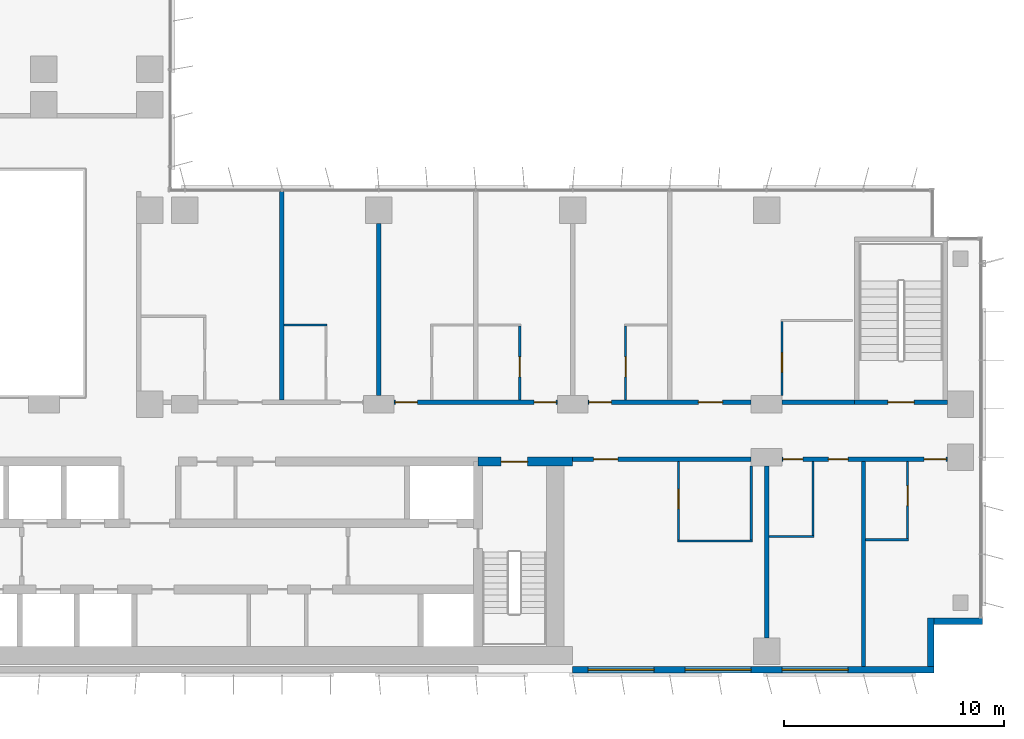
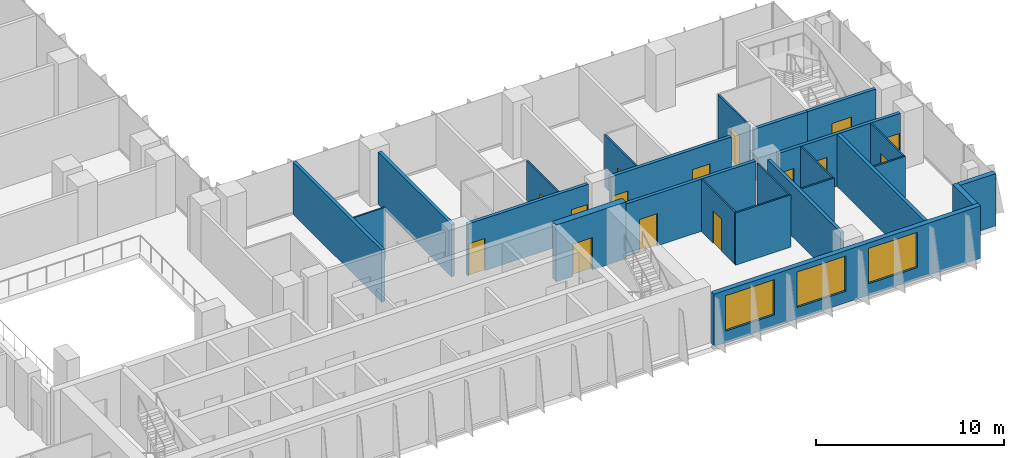
# One storey, part 14 of 23: 25 walls, 15 doors, 3 windows, 18 openings.
"""IFC4 building model written with IfcOpenShell, lengths in metres."""

from ifc_helpers import new_model, si_unit, direction, frame, frame_2d, origin, place, context, subcontext, project, spatial, rectangle, extrude, material, layer, layer_set, type_object, element, fill, save


model = new_model("IFC4")

# Units and contexts
model_context = context("Model", 3, precision=1e-05, world=origin(), true_north=direction((0.0, 1.0)))
body_context = subcontext(model_context, "Body", "Model", "MODEL_VIEW")
ifc_project = project(units=[si_unit("LENGTHUNIT", "METRE"), si_unit("AREAUNIT", "SQUARE_METRE"), si_unit("VOLUMEUNIT", "CUBIC_METRE"), si_unit("PLANEANGLEUNIT", "RADIAN"), si_unit("MASSUNIT", "GRAM", prefix="KILO")], contexts=[model_context])

# Site, building, storey
site_placement = place(None, origin())
site = spatial("IfcSite", under=ifc_project, at=site_placement, CompositionType="ELEMENT")
building_placement = place(site_placement, origin())
building = spatial("IfcBuilding", under=site, at=building_placement, Name="Kemantara Hotel Tower", CompositionType="ELEMENT")
storey_placement = place(building_placement, frame((0.0, 0.0, 138.300048828125)))
storey = spatial("IfcBuildingStorey", under=building, at=storey_placement, Name="L33", CompositionType="ELEMENT", Elevation=138.300048828125)

# Wall, openings, windows
ifc_material_1 = material(Name="Bronze anodised aluminium cladding on insulated steel stud wall", Category="steel")
ifc_layer_1 = layer(ifc_material_1, 0.300048828125)
ifc_layer_set_1 = layer_set([ifc_layer_1], Name="Bronze anodised aluminium cladding on insulated steel stud wall")
wall_type_1 = type_object("IfcWallType", Name="BRONZE METAL-CLAD EXTERNAL WALL 300", PredefinedType="STANDARD", material=ifc_layer_set_1)
wall_1_placement = place(storey_placement, frame((45.0, 0.14990234375, 0.0), z_axis=(0.0, 0.0, 1.0), x_axis=(1.0, 0.0, 0.0)))
wall_1 = element("IfcWall", 1, at=wall_1_placement, inside=storey, type_object=wall_type_1, Name="EXTERNAL WALL L33 T2-R07-3", PredefinedType="STANDARD", context=body_context, shape_type="SweptSolid", body=[
    extrude(rectangle(XDim=16.39990234375, YDim=0.300048828125, at=frame_2d((8.199951171875, 0.0))), origin(), (0.0, 0.0, 1.0), 3.39990234375),
])
opening_1_placement = place(wall_1_placement, frame((0.699951171875, 0.0, 0.75)))
opening_1 = element("IfcOpeningElement", 2, at=opening_1_placement, cuts=wall_1, Name="Opening W1", PredefinedType="OPENING", context=body_context, shape_type="SweptSolid", body=[
    extrude(rectangle(XDim=3.0, YDim=2.300048828125, at=frame_2d((1.5, 1.14990234375))), frame((0.0, 0.159912109375, 0.0), z_axis=(0.0, -1.0, 0.0), x_axis=(1.0, 0.0, 0.0)), (0.0, 0.0, 1.0), 0.320068359375),
])
opening_2_placement = place(wall_1_placement, frame((5.10009765625, 0.0, 0.75)))
opening_2 = element("IfcOpeningElement", 3, at=opening_2_placement, cuts=wall_1, Name="Opening W1", PredefinedType="OPENING", context=body_context, shape_type="SweptSolid", body=[
    extrude(rectangle(XDim=3.0, YDim=2.300048828125, at=frame_2d((1.5, 1.14990234375))), frame((0.0, 0.159912109375, 0.0), z_axis=(0.0, -1.0, 0.0), x_axis=(1.0, 0.0, 0.0)), (0.0, 0.0, 1.0), 0.320068359375),
])
opening_3_placement = place(wall_1_placement, frame((9.5, 0.0, 0.75)))
opening_3 = element("IfcOpeningElement", 4, at=opening_3_placement, cuts=wall_1, Name="Opening W1", PredefinedType="OPENING", context=body_context, shape_type="SweptSolid", body=[
    extrude(rectangle(XDim=3.0, YDim=2.300048828125, at=frame_2d((1.5, 1.14990234375))), frame((0.0, 0.159912109375, 0.0), z_axis=(0.0, -1.0, 0.0), x_axis=(1.0, 0.0, 0.0)), (0.0, 0.0, 1.0), 0.320068359375),
])
ifc_material_2 = material(Name="Low-E tinted double insulated glass in bronze anodised aluminium frame", Category="aluminium")
window_type = type_object("IfcWindowType", Name="CHICAGO WINDOW, TRIPLE PANEL 3000x2300", PartitioningType="TRIPLE_PANEL_VERTICAL", PredefinedType="WINDOW", material=ifc_material_2)
window_1_placement = place(opening_1_placement, origin())
window_1 = element("IfcWindow", 5, at=window_1_placement, inside=storey, type_object=window_type, Name="CHICAGO WINDOW L33 T2-R07-450", OverallHeight=2.300048828125, OverallWidth=3.0, PartitioningType="SINGLE_PANEL", PredefinedType="WINDOW", context=body_context, shape_type="SweptSolid", body=[
    extrude(rectangle(XDim=3.0, YDim=2.300048828125, at=frame_2d((1.5, 1.14990234375))), frame((0.0, 0.030029296875, 0.0), z_axis=(0.0, -1.0, 0.0), x_axis=(1.0, 0.0, 0.0)), (0.0, 0.0, 1.0), 0.06005859375),
])
fill(opening_1, window_1)
window_2_placement = place(opening_2_placement, origin())
window_2 = element("IfcWindow", 6, at=window_2_placement, inside=storey, type_object=window_type, Name="CHICAGO WINDOW L33 T2-R07-494", OverallHeight=2.300048828125, OverallWidth=3.0, PartitioningType="SINGLE_PANEL", PredefinedType="WINDOW", context=body_context, shape_type="SweptSolid", body=[
    extrude(rectangle(XDim=3.0, YDim=2.300048828125, at=frame_2d((1.5, 1.14990234375))), frame((0.0, 0.030029296875, 0.0), z_axis=(0.0, -1.0, 0.0), x_axis=(1.0, 0.0, 0.0)), (0.0, 0.0, 1.0), 0.06005859375),
])
fill(opening_2, window_2)
window_3_placement = place(opening_3_placement, origin())
window_3 = element("IfcWindow", 7, at=window_3_placement, inside=storey, type_object=window_type, Name="CHICAGO WINDOW L33 T2-R07-538", OverallHeight=2.300048828125, OverallWidth=3.0, PartitioningType="SINGLE_PANEL", PredefinedType="WINDOW", context=body_context, shape_type="SweptSolid", body=[
    extrude(rectangle(XDim=3.0, YDim=2.300048828125, at=frame_2d((1.5, 1.14990234375))), frame((0.0, 0.030029296875, 0.0), z_axis=(0.0, -1.0, 0.0), x_axis=(1.0, 0.0, 0.0)), (0.0, 0.0, 1.0), 0.06005859375),
])
fill(opening_3, window_3)

# Walls
wall_2_placement = place(storey_placement, frame((61.25, 0.300048828125, 0.0), z_axis=(0.0, 0.0, 1.0), x_axis=(0.0, 1.0, 0.0)))
element("IfcWall", 8, at=wall_2_placement, inside=storey, type_object=wall_type_1, Name="EXTERNAL WALL L33 T2-R08", PredefinedType="STANDARD", context=body_context, shape_type="SweptSolid", body=[
    extrude(rectangle(XDim=2.199951171875, YDim=0.300048828125, at=frame_2d((1.10009765625, 0.0))), origin(), (0.0, 0.0, 1.0), 3.39990234375),
])
wall_3_placement = place(storey_placement, frame((61.39990234375, 2.35009765625, 0.0), z_axis=(0.0, 0.0, 1.0), x_axis=(1.0, 0.0, 0.0)))
element("IfcWall", 9, at=wall_3_placement, inside=storey, type_object=wall_type_1, Name="EXTERNAL WALL L33 T2-R09", PredefinedType="STANDARD", context=body_context, shape_type="SweptSolid", body=[
    extrude(rectangle(XDim=2.2001953125, YDim=0.300048828125, at=frame_2d((1.10009765625, 0.0))), origin(), (0.0, 0.0, 1.0), 3.39990234375),
])

# Wall, opening, door
ifc_material_3 = material(Name="Concrete fc 60 MPa", Category="concrete")
ifc_layer_2 = layer(ifc_material_3, 0.39990234375)
ifc_layer_set_2 = layer_set([ifc_layer_2], Name="Concrete fc 60 MPa")
wall_type_2 = type_object("IfcWallType", Name="CORE WALL 400 FC60", PredefinedType="SHEAR", material=ifc_layer_set_2)
wall_4_placement = place(storey_placement, frame((40.699951171875, 9.60009765625, 0.0), z_axis=(0.0, 0.0, 1.0), x_axis=(1.0, 0.0, 0.0)))
wall_4 = element("IfcWall", 10, at=wall_4_placement, inside=storey, type_object=wall_type_2, Name="CORE WALL CW-N2", PredefinedType="SHEAR", context=body_context, shape_type="SweptSolid", body=[
    extrude(rectangle(XDim=4.300048828125, YDim=0.39990234375, at=frame_2d((2.14990234375, 0.0))), origin(), (0.0, 0.0, 1.0), 3.699951171875),
])
opening_4_placement = place(wall_4_placement, frame((1.050048828125, 0.0, 0.0)))
opening_4 = element("IfcOpeningElement", 11, at=opening_4_placement, cuts=wall_4, Name="Opening C22-ST2-C", PredefinedType="OPENING", context=body_context, shape_type="SweptSolid", body=[
    extrude(rectangle(XDim=1.199951171875, YDim=2.10009765625, at=frame_2d((0.60009765625, 1.050048828125))), frame((0.0, 0.2099609375, 0.0), z_axis=(0.0, -1.0, 0.0), x_axis=(1.0, 0.0, 0.0)), (0.0, 0.0, 1.0), 0.419921875),
])
ifc_material_4 = material(Name="Steel fire door", Category="steel")
door_type_1 = type_object("IfcDoorType", Name="Fire door FD90 1200 x 2100", OperationType="NOTDEFINED", PredefinedType="DOOR", material=ifc_material_4)
door_1_placement = place(opening_4_placement, frame((1.199951171875, 0.0, 0.0), z_axis=(0.0, 0.0, 1.0), x_axis=(-1.0, 0.0, 0.0)))
door_1 = element("IfcDoor", 12, at=door_1_placement, inside=storey, type_object=door_type_1, Name="Stair ST2 door to corridor", OperationType="SINGLE_SWING_RIGHT", OverallHeight=2.10009765625, OverallWidth=1.199951171875, PredefinedType="DOOR", context=body_context, shape_type="SweptSolid", body=[
    extrude(rectangle(XDim=1.199951171875, YDim=2.10009765625, at=frame_2d((0.60009765625, 1.050048828125))), frame((0.0, 0.02490234375, 0.0), z_axis=(0.0, -1.0, 0.0), x_axis=(1.0, 0.0, 0.0)), (0.0, 0.0, 1.0), 0.050048828125),
])
fill(opening_4, door_1)

ifc_material_5 = material(Name="Gypsum board partition, steel studs and mineral wool, 200 mm", Category="steel")
ifc_layer_3 = layer(ifc_material_5, 0.199951171875)
ifc_layer_set_3 = layer_set([ifc_layer_3], Name="Gypsum board partition, steel studs and mineral wool, 200 mm")
wall_type_3 = type_object("IfcWallType", Name="CORRIDOR WALL 200", PredefinedType="PARTITIONING", material=ifc_layer_set_3)
wall_5_placement = place(storey_placement, frame((53.099853515625, 9.699951171875, 0.0), z_axis=(0.0, 0.0, 1.0), x_axis=(-1.0, 0.0, 0.0)))
wall_5 = element("IfcWall", 13, at=wall_5_placement, inside=storey, type_object=wall_type_3, Name="CORRIDOR WALL 200 001", PredefinedType="PARTITIONING", context=body_context, shape_type="SweptSolid", body=[
    extrude(rectangle(XDim=8.099853515625, YDim=0.199951171875, at=frame_2d((4.0498046875, 0.0))), origin(), (0.0, 0.0, 1.0), 3.39990234375),
])
opening_5_placement = place(wall_5_placement, frame((6.0498046875, 0.0, 0.0)))
opening_5 = element("IfcOpeningElement", 14, at=opening_5_placement, cuts=wall_5, Name="Opening F15-001", PredefinedType="OPENING", context=body_context, shape_type="SweptSolid", body=[
    extrude(rectangle(XDim=1.10009765625, YDim=2.10009765625, at=frame_2d((0.550048828125, 1.050048828125))), frame((0.0, 0.10986328125, 0.0), z_axis=(0.0, -1.0, 0.0), x_axis=(1.0, 0.0, 0.0)), (0.0, 0.0, 1.0), 0.219970703125),
])
ifc_material_6 = material(Name="Hardwood veneer door leaf with steel frame", Category="steel")
door_type_2 = type_object("IfcDoorType", Name="SUITE ENTRANCE DOOR 1100 X 2100 FD30S", OperationType="NOTDEFINED", PredefinedType="DOOR", material=ifc_material_6)
door_2_placement = place(opening_5_placement, origin())
door_2 = element("IfcDoor", 15, at=door_2_placement, inside=storey, type_object=door_type_2, Name="SUITE ENTRANCE DOOR F15-001", OperationType="SINGLE_SWING_RIGHT", OverallHeight=2.10009765625, OverallWidth=1.10009765625, PredefinedType="DOOR", context=body_context, shape_type="SweptSolid", body=[
    extrude(rectangle(XDim=1.10009765625, YDim=2.10009765625, at=frame_2d((0.550048828125, 1.050048828125))), frame((0.0, 0.02490234375, 0.0), z_axis=(0.0, -1.0, 0.0), x_axis=(1.0, 0.0, 0.0)), (0.0, 0.0, 1.0), 0.050048828125),
])
fill(opening_5, door_2)

# Wall, openings, doors
wall_6_placement = place(storey_placement, frame((62.0, 9.699951171875, 0.0), z_axis=(0.0, 0.0, 1.0), x_axis=(-1.0, 0.0, 0.0)))
wall_6 = element("IfcWall", 16, at=wall_6_placement, inside=storey, type_object=wall_type_3, Name="CORRIDOR WALL 200 002", PredefinedType="PARTITIONING", context=body_context, shape_type="SweptSolid", body=[
    extrude(rectangle(XDim=7.5, YDim=0.199951171875, at=frame_2d((3.75, 0.0))), origin(), (0.0, 0.0, 1.0), 3.39990234375),
])
opening_6_placement = place(wall_6_placement, frame((4.5, 0.0, 0.0)))
opening_6 = element("IfcOpeningElement", 17, at=opening_6_placement, cuts=wall_6, Name="Opening F15-003", PredefinedType="OPENING", context=body_context, shape_type="SweptSolid", body=[
    extrude(rectangle(XDim=0.89990234375, YDim=2.10009765625, at=frame_2d((0.449951171875, 1.050048828125))), frame((0.0, 0.10986328125, 0.0), z_axis=(0.0, -1.0, 0.0), x_axis=(1.0, 0.0, 0.0)), (0.0, 0.0, 1.0), 0.219970703125),
])
opening_7_placement = place(wall_6_placement, frame((6.5498046875, 0.0, 0.0)))
opening_7 = element("IfcOpeningElement", 18, at=opening_7_placement, cuts=wall_6, Name="Opening F15-004", PredefinedType="OPENING", context=body_context, shape_type="SweptSolid", body=[
    extrude(rectangle(XDim=0.89990234375, YDim=2.10009765625, at=frame_2d((0.449951171875, 1.050048828125))), frame((0.0, 0.10986328125, 0.0), z_axis=(0.0, -1.0, 0.0), x_axis=(1.0, 0.0, 0.0)), (0.0, 0.0, 1.0), 0.219970703125),
])
opening_8_placement = place(wall_6_placement, frame((0.0498046875, 0.0, 0.0)))
opening_8 = element("IfcOpeningElement", 19, at=opening_8_placement, cuts=wall_6, Name="Opening F15-005", PredefinedType="OPENING", context=body_context, shape_type="SweptSolid", body=[
    extrude(rectangle(XDim=1.0, YDim=2.10009765625, at=frame_2d((0.5, 1.050048828125))), frame((0.0, 0.10986328125, 0.0), z_axis=(0.0, -1.0, 0.0), x_axis=(1.0, 0.0, 0.0)), (0.0, 0.0, 1.0), 0.219970703125),
])
door_type_3 = type_object("IfcDoorType", Name="GUEST ROOM DOOR 1000 X 2100 FD30S", OperationType="NOTDEFINED", PredefinedType="DOOR", material=ifc_material_6)
door_3_placement = place(opening_8_placement, origin())
door_3 = element("IfcDoor", 20, at=door_3_placement, inside=storey, type_object=door_type_3, Name="GUEST ROOM DOOR F15-005", OperationType="SINGLE_SWING_LEFT", OverallHeight=2.10009765625, OverallWidth=1.0, PredefinedType="DOOR", context=body_context, shape_type="SweptSolid", body=[
    extrude(rectangle(XDim=1.0, YDim=2.10009765625, at=frame_2d((0.5, 1.050048828125))), frame((0.0, 0.02490234375, 0.0), z_axis=(0.0, -1.0, 0.0), x_axis=(1.0, 0.0, 0.0)), (0.0, 0.0, 1.0), 0.050048828125),
])
fill(opening_8, door_3)
ifc_material_7 = material(Name="Steel door leaf with steel frame", Category="steel")
door_type_4 = type_object("IfcDoorType", Name="SERVICE ROOM DOOR 900 X 2100 FD60", OperationType="NOTDEFINED", PredefinedType="DOOR", material=ifc_material_7)
door_4_placement = place(opening_6_placement, origin())
door_4 = element("IfcDoor", 21, at=door_4_placement, inside=storey, type_object=door_type_4, Name="SERVICE ROOM DOOR F15-003", OperationType="SINGLE_SWING_LEFT", OverallHeight=2.10009765625, OverallWidth=0.89990234375, PredefinedType="DOOR", context=body_context, shape_type="SweptSolid", body=[
    extrude(rectangle(XDim=0.89990234375, YDim=2.10009765625, at=frame_2d((0.449951171875, 1.050048828125))), frame((0.0, 0.02490234375, 0.0), z_axis=(0.0, -1.0, 0.0), x_axis=(1.0, 0.0, 0.0)), (0.0, 0.0, 1.0), 0.050048828125),
])
fill(opening_6, door_4)
door_5_placement = place(opening_7_placement, origin())
door_5 = element("IfcDoor", 22, at=door_5_placement, inside=storey, type_object=door_type_4, Name="SERVICE ROOM DOOR F15-004", OperationType="SINGLE_SWING_RIGHT", OverallHeight=2.10009765625, OverallWidth=0.89990234375, PredefinedType="DOOR", context=body_context, shape_type="SweptSolid", body=[
    extrude(rectangle(XDim=0.89990234375, YDim=2.10009765625, at=frame_2d((0.449951171875, 1.050048828125))), frame((0.0, 0.02490234375, 0.0), z_axis=(0.0, -1.0, 0.0), x_axis=(1.0, 0.0, 0.0)), (0.0, 0.0, 1.0), 0.050048828125),
])
fill(opening_7, door_5)

wall_7_placement = place(storey_placement, frame((36.900146484375, 12.300048828125, 0.0), z_axis=(0.0, 0.0, 1.0), x_axis=(1.0, 0.0, 0.0)))
wall_7 = element("IfcWall", 23, at=wall_7_placement, inside=storey, type_object=wall_type_3, Name="CORRIDOR WALL 200 007", PredefinedType="PARTITIONING", context=body_context, shape_type="SweptSolid", body=[
    extrude(rectangle(XDim=7.399658203125, YDim=0.199951171875, at=frame_2d((3.69970703125, 0.0))), origin(), (0.0, 0.0, 1.0), 3.39990234375),
])
opening_9_placement = place(wall_7_placement, frame((0.0498046875, 0.0, 0.0)))
opening_9 = element("IfcOpeningElement", 24, at=opening_9_placement, cuts=wall_7, Name="Opening F15-011", PredefinedType="OPENING", context=body_context, shape_type="SweptSolid", body=[
    extrude(rectangle(XDim=1.0, YDim=2.10009765625, at=frame_2d((0.5, 1.050048828125))), frame((0.0, 0.10986328125, 0.0), z_axis=(0.0, -1.0, 0.0), x_axis=(1.0, 0.0, 0.0)), (0.0, 0.0, 1.0), 0.219970703125),
])
opening_10_placement = place(wall_7_placement, frame((6.349853515625, 0.0, 0.0)))
opening_10 = element("IfcOpeningElement", 25, at=opening_10_placement, cuts=wall_7, Name="Opening F15-013", PredefinedType="OPENING", context=body_context, shape_type="SweptSolid", body=[
    extrude(rectangle(XDim=1.0, YDim=2.10009765625, at=frame_2d((0.5, 1.050048828125))), frame((0.0, 0.10986328125, 0.0), z_axis=(0.0, -1.0, 0.0), x_axis=(1.0, 0.0, 0.0)), (0.0, 0.0, 1.0), 0.219970703125),
])
door_6_placement = place(opening_9_placement, origin())
door_6 = element("IfcDoor", 26, at=door_6_placement, inside=storey, type_object=door_type_3, Name="GUEST ROOM DOOR F15-011", OperationType="SINGLE_SWING_LEFT", OverallHeight=2.10009765625, OverallWidth=1.0, PredefinedType="DOOR", context=body_context, shape_type="SweptSolid", body=[
    extrude(rectangle(XDim=1.0, YDim=2.10009765625, at=frame_2d((0.5, 1.050048828125))), frame((0.0, 0.02490234375, 0.0), z_axis=(0.0, -1.0, 0.0), x_axis=(1.0, 0.0, 0.0)), (0.0, 0.0, 1.0), 0.050048828125),
])
fill(opening_9, door_6)
door_7_placement = place(opening_10_placement, origin())
door_7 = element("IfcDoor", 27, at=door_7_placement, inside=storey, type_object=door_type_3, Name="GUEST ROOM DOOR F15-013", OperationType="SINGLE_SWING_RIGHT", OverallHeight=2.10009765625, OverallWidth=1.0, PredefinedType="DOOR", context=body_context, shape_type="SweptSolid", body=[
    extrude(rectangle(XDim=1.0, YDim=2.10009765625, at=frame_2d((0.5, 1.050048828125))), frame((0.0, 0.02490234375, 0.0), z_axis=(0.0, -1.0, 0.0), x_axis=(1.0, 0.0, 0.0)), (0.0, 0.0, 1.0), 0.050048828125),
])
fill(opening_10, door_7)

wall_8_placement = place(storey_placement, frame((45.7001953125, 12.300048828125, 0.0), z_axis=(0.0, 0.0, 1.0), x_axis=(1.0, 0.0, 0.0)))
wall_8 = element("IfcWall", 28, at=wall_8_placement, inside=storey, type_object=wall_type_3, Name="CORRIDOR WALL 200 008", PredefinedType="PARTITIONING", context=body_context, shape_type="SweptSolid", body=[
    extrude(rectangle(XDim=7.399658203125, YDim=0.199951171875, at=frame_2d((3.69970703125, 0.0))), origin(), (0.0, 0.0, 1.0), 3.39990234375),
])
opening_11_placement = place(wall_8_placement, frame((0.0498046875, 0.0, 0.0)))
opening_11 = element("IfcOpeningElement", 29, at=opening_11_placement, cuts=wall_8, Name="Opening F15-015", PredefinedType="OPENING", context=body_context, shape_type="SweptSolid", body=[
    extrude(rectangle(XDim=1.0, YDim=2.10009765625, at=frame_2d((0.5, 1.050048828125))), frame((0.0, 0.10986328125, 0.0), z_axis=(0.0, -1.0, 0.0), x_axis=(1.0, 0.0, 0.0)), (0.0, 0.0, 1.0), 0.219970703125),
])
opening_12_placement = place(wall_8_placement, frame((5.0, 0.0, 0.0)))
opening_12 = element("IfcOpeningElement", 30, at=opening_12_placement, cuts=wall_8, Name="Opening F15-017", PredefinedType="OPENING", context=body_context, shape_type="SweptSolid", body=[
    extrude(rectangle(XDim=1.10009765625, YDim=2.10009765625, at=frame_2d((0.550048828125, 1.050048828125))), frame((0.0, 0.10986328125, 0.0), z_axis=(0.0, -1.0, 0.0), x_axis=(1.0, 0.0, 0.0)), (0.0, 0.0, 1.0), 0.219970703125),
])
door_8_placement = place(opening_11_placement, origin())
door_8 = element("IfcDoor", 31, at=door_8_placement, inside=storey, type_object=door_type_3, Name="GUEST ROOM DOOR F15-015", OperationType="SINGLE_SWING_LEFT", OverallHeight=2.10009765625, OverallWidth=1.0, PredefinedType="DOOR", context=body_context, shape_type="SweptSolid", body=[
    extrude(rectangle(XDim=1.0, YDim=2.10009765625, at=frame_2d((0.5, 1.050048828125))), frame((0.0, 0.02490234375, 0.0), z_axis=(0.0, -1.0, 0.0), x_axis=(1.0, 0.0, 0.0)), (0.0, 0.0, 1.0), 0.050048828125),
])
fill(opening_11, door_8)
door_9_placement = place(opening_12_placement, origin())
door_9 = element("IfcDoor", 32, at=door_9_placement, inside=storey, type_object=door_type_2, Name="SUITE ENTRANCE DOOR F15-017", OperationType="SINGLE_SWING_LEFT", OverallHeight=2.10009765625, OverallWidth=1.10009765625, PredefinedType="DOOR", context=body_context, shape_type="SweptSolid", body=[
    extrude(rectangle(XDim=1.10009765625, YDim=2.10009765625, at=frame_2d((0.550048828125, 1.050048828125))), frame((0.0, 0.02490234375, 0.0), z_axis=(0.0, -1.0, 0.0), x_axis=(1.0, 0.0, 0.0)), (0.0, 0.0, 1.0), 0.050048828125),
])
fill(opening_12, door_9)

# Wall
wall_9_placement = place(storey_placement, frame((54.5, 12.300048828125, 0.0), z_axis=(0.0, 0.0, 1.0), x_axis=(1.0, 0.0, 0.0)))
element("IfcWall", 33, at=wall_9_placement, inside=storey, type_object=wall_type_3, Name="CORRIDOR WALL 200 009", PredefinedType="PARTITIONING", context=body_context, shape_type="SweptSolid", body=[
    extrude(rectangle(XDim=3.300048828125, YDim=0.199951171875, at=frame_2d((1.64990234375, 0.0))), origin(), (0.0, 0.0, 1.0), 3.39990234375),
])

# Wall, opening, door
ifc_material_8 = material(Name="Concrete fc 40 MPa", Category="concrete")
ifc_layer_4 = layer(ifc_material_8, 0.199951171875)
ifc_layer_set_4 = layer_set([ifc_layer_4], Name="Concrete fc 40 MPa")
wall_type_4 = type_object("IfcWallType", Name="Concrete stair wall 200 mm", PredefinedType="SHEAR", material=ifc_layer_set_4)
wall_10_placement = place(storey_placement, frame((57.800048828125, 12.300048828125, 0.0), z_axis=(0.0, 0.0, 1.0), x_axis=(1.0, 0.0, 0.0)))
wall_10 = element("IfcWall", 34, at=wall_10_placement, inside=storey, type_object=wall_type_4, Name="Stair ST3 enclosure wall with door", PredefinedType="SHEAR", context=body_context, shape_type="SweptSolid", body=[
    extrude(rectangle(XDim=4.199951171875, YDim=0.199951171875, at=frame_2d((2.10009765625, 0.0))), origin(), (0.0, 0.0, 1.0), 3.39990234375),
])
opening_13_placement = place(wall_10_placement, frame((1.5, 0.0, 0.0)))
opening_13 = element("IfcOpeningElement", 35, at=opening_13_placement, cuts=wall_10, Name="Opening ST3-C", PredefinedType="OPENING", context=body_context, shape_type="SweptSolid", body=[
    extrude(rectangle(XDim=1.199951171875, YDim=2.10009765625, at=frame_2d((0.60009765625, 1.050048828125))), frame((0.0, 0.10986328125, 0.0), z_axis=(0.0, -1.0, 0.0), x_axis=(1.0, 0.0, 0.0)), (0.0, 0.0, 1.0), 0.219970703125),
])
door_10_placement = place(opening_13_placement, origin())
door_10 = element("IfcDoor", 36, at=door_10_placement, inside=storey, type_object=door_type_1, Name="Stair ST3 door", OperationType="SINGLE_SWING_RIGHT", OverallHeight=2.10009765625, OverallWidth=1.199951171875, PredefinedType="DOOR", context=body_context, shape_type="SweptSolid", body=[
    extrude(rectangle(XDim=1.199951171875, YDim=2.10009765625, at=frame_2d((0.60009765625, 1.050048828125))), frame((0.0, 0.02490234375, 0.0), z_axis=(0.0, -1.0, 0.0), x_axis=(1.0, 0.0, 0.0)), (0.0, 0.0, 1.0), 0.050048828125),
])
fill(opening_13, door_10)

# Walls
ifc_layer_5 = layer(ifc_material_5, 0.199951171875)
ifc_layer_set_5 = layer_set([ifc_layer_5], Name="Gypsum board partition, steel studs and mineral wool, 200 mm")
wall_type_5 = type_object("IfcWallType", Name="GUEST ROOM PARTY WALL 200", PredefinedType="PARTITIONING", material=ifc_layer_set_5)
wall_11_placement = place(storey_placement, frame((53.800048828125, 1.60009765625, 0.0), z_axis=(0.0, 0.0, 1.0), x_axis=(0.0, 1.0, 0.0)))
element("IfcWall", 37, at=wall_11_placement, inside=storey, type_object=wall_type_5, Name="GUEST ROOM PARTY WALL 200 003", PredefinedType="PARTITIONING", context=body_context, shape_type="SweptSolid", body=[
    extrude(rectangle(XDim=7.7998046875, YDim=0.199951171875, at=frame_2d((3.89990234375, 0.0))), origin(), (0.0, 0.0, 1.0), 3.39990234375),
])
wall_12_placement = place(storey_placement, frame((58.199951171875, 0.31005859375, 0.0), z_axis=(0.0, 0.0, 1.0), x_axis=(0.0, 1.0, 0.0)))
element("IfcWall", 38, at=wall_12_placement, inside=storey, type_object=wall_type_5, Name="GUEST ROOM PARTY WALL 200 004", PredefinedType="PARTITIONING", context=body_context, shape_type="SweptSolid", body=[
    extrude(rectangle(XDim=9.2900390625, YDim=0.199951171875, at=frame_2d((4.64501953125, 0.0))), origin(), (0.0, 0.0, 1.0), 3.39990234375),
])
wall_13_placement = place(storey_placement, frame((31.800048828125, 12.39990234375, 0.0), z_axis=(0.0, 0.0, 1.0), x_axis=(0.0, 1.0, 0.0)))
element("IfcWall", 39, at=wall_13_placement, inside=storey, type_object=wall_type_5, Name="GUEST ROOM PARTY WALL 200 012", PredefinedType="PARTITIONING", context=body_context, shape_type="SweptSolid", body=[
    extrude(rectangle(XDim=9.47021484375, YDim=0.199951171875, at=frame_2d((4.735107421875, 0.0))), origin(), (0.0, 0.0, 1.0), 3.39990234375),
])
wall_14_placement = place(storey_placement, frame((36.199951171875, 12.60009765625, 0.0), z_axis=(0.0, 0.0, 1.0), x_axis=(0.0, 1.0, 0.0)))
element("IfcWall", 40, at=wall_14_placement, inside=storey, type_object=wall_type_5, Name="GUEST ROOM PARTY WALL 200 013", PredefinedType="PARTITIONING", context=body_context, shape_type="SweptSolid", body=[
    extrude(rectangle(XDim=7.7998046875, YDim=0.199951171875, at=frame_2d((3.89990234375, 0.0))), origin(), (0.0, 0.0, 1.0), 3.39990234375),
])
ifc_material_9 = material(Name="Gypsum board partition on steel studs, 100 mm", Category="steel")
ifc_layer_6 = layer(ifc_material_9, 0.10009765625)
ifc_layer_set_6 = layer_set([ifc_layer_6], Name="Gypsum board partition on steel studs, 100 mm")
wall_type_6 = type_object("IfcWallType", Name="ROOM PARTITION 100", PredefinedType="PARTITIONING", material=ifc_layer_set_6)
wall_15_placement = place(storey_placement, frame((49.75, 6.0, 0.0), z_axis=(0.0, 0.0, 1.0), x_axis=(1.0, 0.0, 0.0)))
element("IfcWall", 41, at=wall_15_placement, inside=storey, type_object=wall_type_6, Name="ROOM PARTITION 100 051", PredefinedType="PARTITIONING", context=body_context, shape_type="SweptSolid", body=[
    extrude(rectangle(XDim=3.39990234375, YDim=0.10009765625, at=frame_2d((1.699951171875, 0.0))), origin(), (0.0, 0.0, 1.0), 3.39990234375),
])

# Wall, opening, door
wall_16_placement = place(storey_placement, frame((49.800048828125, 9.60009765625, 0.0), z_axis=(0.0, 0.0, 1.0), x_axis=(0.0, -1.0, 0.0)))
wall_16 = element("IfcWall", 42, at=wall_16_placement, inside=storey, type_object=wall_type_6, Name="ROOM PARTITION 100 052", PredefinedType="PARTITIONING", context=body_context, shape_type="SweptSolid", body=[
    extrude(rectangle(XDim=3.550048828125, YDim=0.10009765625, at=frame_2d((1.77490234375, 0.0))), origin(), (0.0, 0.0, 1.0), 3.39990234375),
])
opening_14_placement = place(wall_16_placement, frame((1.25, 0.0, 0.0)))
opening_14 = element("IfcOpeningElement", 43, at=opening_14_placement, cuts=wall_16, Name="Opening F15-002", PredefinedType="OPENING", context=body_context, shape_type="SweptSolid", body=[
    extrude(rectangle(XDim=0.89990234375, YDim=2.10009765625, at=frame_2d((0.449951171875, 1.050048828125))), frame((0.0, 0.06005859375, 0.0), z_axis=(0.0, -1.0, 0.0), x_axis=(1.0, 0.0, 0.0)), (0.0, 0.0, 1.0), 0.1201171875),
])
door_type_5 = type_object("IfcDoorType", Name="BATHROOM DOOR 900 X 2100", OperationType="NOTDEFINED", PredefinedType="DOOR", material=ifc_material_6)
door_11_placement = place(opening_14_placement, origin())
door_11 = element("IfcDoor", 44, at=door_11_placement, inside=storey, type_object=door_type_5, Name="BATHROOM DOOR F15-002", OperationType="SINGLE_SWING_LEFT", OverallHeight=2.10009765625, OverallWidth=0.89990234375, PredefinedType="DOOR", context=body_context, shape_type="SweptSolid", body=[
    extrude(rectangle(XDim=0.89990234375, YDim=2.10009765625, at=frame_2d((0.449951171875, 1.050048828125))), frame((0.0, 0.02490234375, 0.0), z_axis=(0.0, -1.0, 0.0), x_axis=(1.0, 0.0, 0.0)), (0.0, 0.0, 1.0), 0.050048828125),
])
fill(opening_14, door_11)

# Walls
wall_17_placement = place(storey_placement, frame((53.10009765625, 6.050048828125, 0.0), z_axis=(0.0, 0.0, 1.0), x_axis=(0.0, 1.0, 0.0)))
element("IfcWall", 45, at=wall_17_placement, inside=storey, type_object=wall_type_6, Name="ROOM PARTITION 100 053", PredefinedType="PARTITIONING", context=body_context, shape_type="SweptSolid", body=[
    extrude(rectangle(XDim=3.349853515625, YDim=0.10009765625, at=frame_2d((1.6748046875, 0.0))), origin(), (0.0, 0.0, 1.0), 3.39990234375),
])
wall_18_placement = place(storey_placement, frame((53.89990234375, 6.199951171875, 0.0), z_axis=(0.0, 0.0, 1.0), x_axis=(1.0, 0.0, 0.0)))
element("IfcWall", 46, at=wall_18_placement, inside=storey, type_object=wall_type_6, Name="ROOM PARTITION 100 054", PredefinedType="PARTITIONING", context=body_context, shape_type="SweptSolid", body=[
    extrude(rectangle(XDim=2.050048828125, YDim=0.10009765625, at=frame_2d((1.02490234375, 0.0))), origin(), (0.0, 0.0, 1.0), 3.39990234375),
])
wall_19_placement = place(storey_placement, frame((55.89990234375, 6.25, 0.0), z_axis=(0.0, 0.0, 1.0), x_axis=(0.0, 1.0, 0.0)))
element("IfcWall", 47, at=wall_19_placement, inside=storey, type_object=wall_type_6, Name="ROOM PARTITION 100 055", PredefinedType="PARTITIONING", context=body_context, shape_type="SweptSolid", body=[
    extrude(rectangle(XDim=3.35009765625, YDim=0.10009765625, at=frame_2d((1.675048828125, 0.0))), origin(), (0.0, 0.0, 1.0), 3.39990234375),
])
wall_20_placement = place(storey_placement, frame((58.300048828125, 6.050048828125, 0.0), z_axis=(0.0, 0.0, 1.0), x_axis=(1.0, 0.0, 0.0)))
element("IfcWall", 48, at=wall_20_placement, inside=storey, type_object=wall_type_6, Name="ROOM PARTITION 100 056", PredefinedType="PARTITIONING", context=body_context, shape_type="SweptSolid", body=[
    extrude(rectangle(XDim=1.949951171875, YDim=0.10009765625, at=frame_2d((0.97509765625, 0.0))), origin(), (0.0, 0.0, 1.0), 3.39990234375),
])

# Wall, opening, door
wall_21_placement = place(storey_placement, frame((60.199951171875, 6.10009765625, 0.0), z_axis=(0.0, 0.0, 1.0), x_axis=(0.0, 1.0, 0.0)))
wall_21 = element("IfcWall", 49, at=wall_21_placement, inside=storey, type_object=wall_type_6, Name="ROOM PARTITION 100 057", PredefinedType="PARTITIONING", context=body_context, shape_type="SweptSolid", body=[
    extrude(rectangle(XDim=3.5, YDim=0.10009765625, at=frame_2d((1.75, 0.0))), origin(), (0.0, 0.0, 1.0), 3.39990234375),
])
opening_15_placement = place(wall_21_placement, frame((1.5, 0.0, 0.0)))
opening_15 = element("IfcOpeningElement", 50, at=opening_15_placement, cuts=wall_21, Name="Opening F15-006", PredefinedType="OPENING", context=body_context, shape_type="SweptSolid", body=[
    extrude(rectangle(XDim=0.89990234375, YDim=2.10009765625, at=frame_2d((0.449951171875, 1.050048828125))), frame((0.0, 0.06005859375, 0.0), z_axis=(0.0, -1.0, 0.0), x_axis=(1.0, 0.0, 0.0)), (0.0, 0.0, 1.0), 0.1201171875),
])
door_12_placement = place(opening_15_placement, origin())
door_12 = element("IfcDoor", 51, at=door_12_placement, inside=storey, type_object=door_type_5, Name="BATHROOM DOOR F15-006", OperationType="SINGLE_SWING_RIGHT", OverallHeight=2.10009765625, OverallWidth=0.89990234375, PredefinedType="DOOR", context=body_context, shape_type="SweptSolid", body=[
    extrude(rectangle(XDim=0.89990234375, YDim=2.10009765625, at=frame_2d((0.449951171875, 1.050048828125))), frame((0.0, 0.02490234375, 0.0), z_axis=(0.0, -1.0, 0.0), x_axis=(1.0, 0.0, 0.0)), (0.0, 0.0, 1.0), 0.050048828125),
])
fill(opening_15, door_12)

# Wall
wall_22_placement = place(storey_placement, frame((31.89990234375, 15.800048828125, 0.0), z_axis=(0.0, 0.0, 1.0), x_axis=(1.0, 0.0, 0.0)))
element("IfcWall", 52, at=wall_22_placement, inside=storey, type_object=wall_type_6, Name="ROOM PARTITION 100 060", PredefinedType="PARTITIONING", context=body_context, shape_type="SweptSolid", body=[
    extrude(rectangle(XDim=1.9501953125, YDim=0.10009765625, at=frame_2d((0.97509765625, 0.0))), origin(), (0.0, 0.0, 1.0), 3.39990234375),
])

# Wall, opening, door
wall_23_placement = place(storey_placement, frame((42.60009765625, 12.39990234375, 0.0), z_axis=(0.0, 0.0, 1.0), x_axis=(0.0, 1.0, 0.0)))
wall_23 = element("IfcWall", 53, at=wall_23_placement, inside=storey, type_object=wall_type_6, Name="ROOM PARTITION 100 066", PredefinedType="PARTITIONING", context=body_context, shape_type="SweptSolid", body=[
    extrude(rectangle(XDim=3.35009765625, YDim=0.10009765625, at=frame_2d((1.675048828125, 0.0))), origin(), (0.0, 0.0, 1.0), 3.39990234375),
])
opening_16_placement = place(wall_23_placement, frame((1.050048828125, 0.0, 0.0)))
opening_16 = element("IfcOpeningElement", 54, at=opening_16_placement, cuts=wall_23, Name="Opening F15-014", PredefinedType="OPENING", context=body_context, shape_type="SweptSolid", body=[
    extrude(rectangle(XDim=0.89990234375, YDim=2.10009765625, at=frame_2d((0.449951171875, 1.050048828125))), frame((0.0, 0.06005859375, 0.0), z_axis=(0.0, -1.0, 0.0), x_axis=(1.0, 0.0, 0.0)), (0.0, 0.0, 1.0), 0.1201171875),
])
door_13_placement = place(opening_16_placement, origin())
door_13 = element("IfcDoor", 55, at=door_13_placement, inside=storey, type_object=door_type_5, Name="BATHROOM DOOR F15-014", OperationType="SINGLE_SWING_LEFT", OverallHeight=2.10009765625, OverallWidth=0.89990234375, PredefinedType="DOOR", context=body_context, shape_type="SweptSolid", body=[
    extrude(rectangle(XDim=0.89990234375, YDim=2.10009765625, at=frame_2d((0.449951171875, 1.050048828125))), frame((0.0, 0.02490234375, 0.0), z_axis=(0.0, -1.0, 0.0), x_axis=(1.0, 0.0, 0.0)), (0.0, 0.0, 1.0), 0.050048828125),
])
fill(opening_16, door_13)

wall_24_placement = place(storey_placement, frame((47.39990234375, 15.75, 0.0), z_axis=(0.0, 0.0, 1.0), x_axis=(0.0, -1.0, 0.0)))
wall_24 = element("IfcWall", 56, at=wall_24_placement, inside=storey, type_object=wall_type_6, Name="ROOM PARTITION 100 067", PredefinedType="PARTITIONING", context=body_context, shape_type="SweptSolid", body=[
    extrude(rectangle(XDim=3.35009765625, YDim=0.10009765625, at=frame_2d((1.675048828125, 0.0))), origin(), (0.0, 0.0, 1.0), 3.39990234375),
])
opening_17_placement = place(wall_24_placement, frame((1.39990234375, 0.0, 0.0)))
opening_17 = element("IfcOpeningElement", 57, at=opening_17_placement, cuts=wall_24, Name="Opening F15-016", PredefinedType="OPENING", context=body_context, shape_type="SweptSolid", body=[
    extrude(rectangle(XDim=0.89990234375, YDim=2.10009765625, at=frame_2d((0.449951171875, 1.050048828125))), frame((0.0, 0.06005859375, 0.0), z_axis=(0.0, -1.0, 0.0), x_axis=(1.0, 0.0, 0.0)), (0.0, 0.0, 1.0), 0.1201171875),
])
door_14_placement = place(opening_17_placement, origin())
door_14 = element("IfcDoor", 58, at=door_14_placement, inside=storey, type_object=door_type_5, Name="BATHROOM DOOR F15-016", OperationType="SINGLE_SWING_RIGHT", OverallHeight=2.10009765625, OverallWidth=0.89990234375, PredefinedType="DOOR", context=body_context, shape_type="SweptSolid", body=[
    extrude(rectangle(XDim=0.89990234375, YDim=2.10009765625, at=frame_2d((0.449951171875, 1.050048828125))), frame((0.0, 0.02490234375, 0.0), z_axis=(0.0, -1.0, 0.0), x_axis=(1.0, 0.0, 0.0)), (0.0, 0.0, 1.0), 0.050048828125),
])
fill(opening_17, door_14)

wall_25_placement = place(storey_placement, frame((54.5, 15.949951171875, 0.0), z_axis=(0.0, 0.0, 1.0), x_axis=(0.0, -1.0, 0.0)))
wall_25 = element("IfcWall", 59, at=wall_25_placement, inside=storey, type_object=wall_type_6, Name="ROOM PARTITION 100 069", PredefinedType="PARTITIONING", context=body_context, shape_type="SweptSolid", body=[
    extrude(rectangle(XDim=3.349853515625, YDim=0.10009765625, at=frame_2d((1.6748046875, 0.0))), origin(), (0.0, 0.0, 1.0), 3.39990234375),
])
opening_18_placement = place(wall_25_placement, frame((1.39990234375, 0.0, 0.0)))
opening_18 = element("IfcOpeningElement", 60, at=opening_18_placement, cuts=wall_25, Name="Opening F15-018", PredefinedType="OPENING", context=body_context, shape_type="SweptSolid", body=[
    extrude(rectangle(XDim=0.89990234375, YDim=2.10009765625, at=frame_2d((0.449951171875, 1.050048828125))), frame((0.0, 0.06005859375, 0.0), z_axis=(0.0, -1.0, 0.0), x_axis=(1.0, 0.0, 0.0)), (0.0, 0.0, 1.0), 0.1201171875),
])
door_15_placement = place(opening_18_placement, origin())
door_15 = element("IfcDoor", 61, at=door_15_placement, inside=storey, type_object=door_type_5, Name="BATHROOM DOOR F15-018", OperationType="SINGLE_SWING_RIGHT", OverallHeight=2.10009765625, OverallWidth=0.89990234375, PredefinedType="DOOR", context=body_context, shape_type="SweptSolid", body=[
    extrude(rectangle(XDim=0.89990234375, YDim=2.10009765625, at=frame_2d((0.449951171875, 1.050048828125))), frame((0.0, 0.02490234375, 0.0), z_axis=(0.0, -1.0, 0.0), x_axis=(1.0, 0.0, 0.0)), (0.0, 0.0, 1.0), 0.050048828125),
])
fill(opening_18, door_15)

save(model, "model.ifc")
